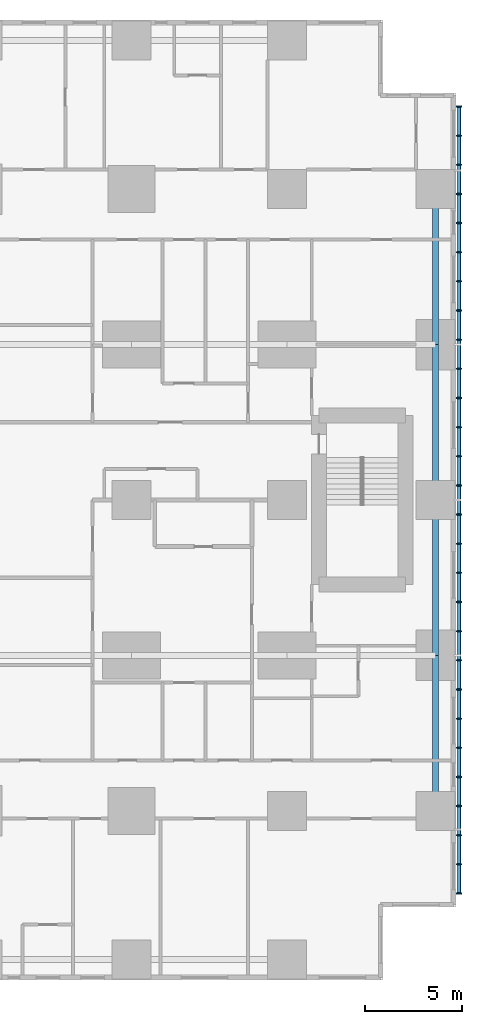
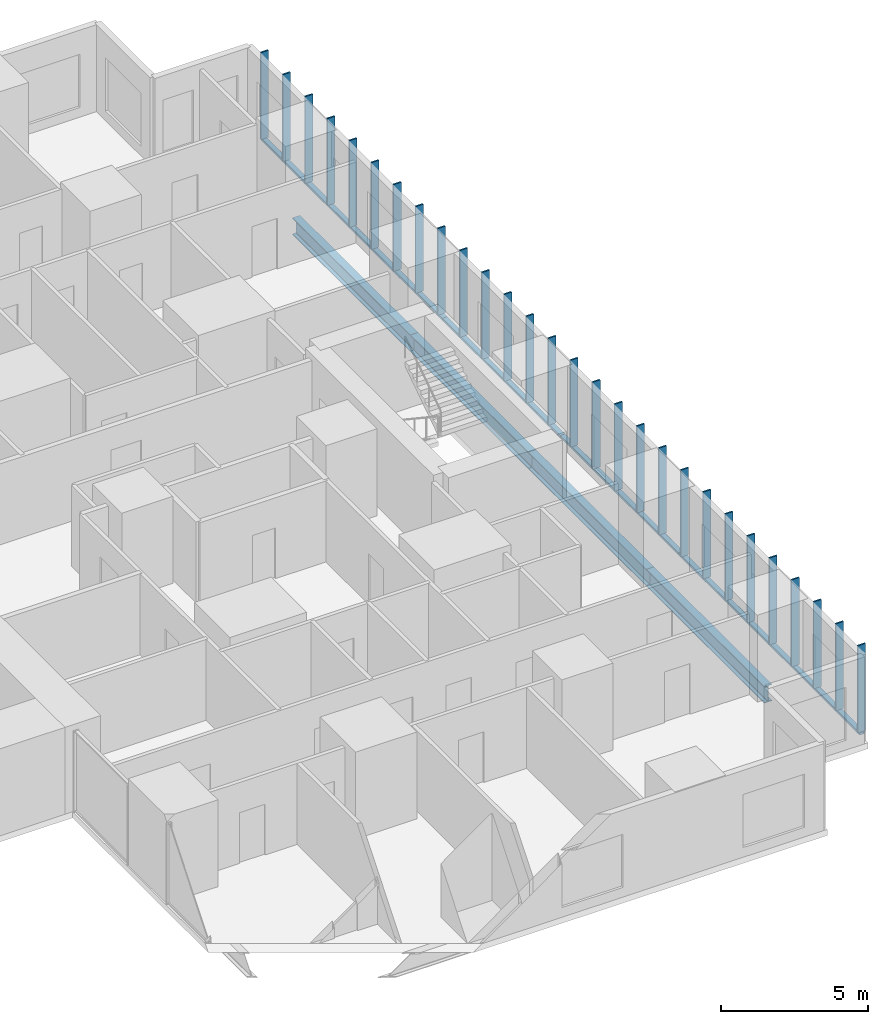
# One storey, part 6 of 20: 32 members, 4 beams.
"""IFC4 building model written with IfcOpenShell, lengths in metres."""

from ifc_helpers import new_model, si_unit, direction, frame, origin, origin_2d, place, context, subcontext, project, spatial, rectangle, hollow_rectangle, i_section, extrude, material, material_profile, profile_set, type_object, element, save


model = new_model("IFC4")

# Units and contexts
model_context = context("Model", 3, precision=1e-05, world=origin(), true_north=direction((0.0, 1.0)))
body_context = subcontext(model_context, "Body", "Model", "MODEL_VIEW")
ifc_project = project(units=[si_unit("LENGTHUNIT", "METRE"), si_unit("AREAUNIT", "SQUARE_METRE"), si_unit("VOLUMEUNIT", "CUBIC_METRE"), si_unit("PLANEANGLEUNIT", "RADIAN"), si_unit("MASSUNIT", "GRAM", prefix="KILO")], contexts=[model_context])

# Site, building, storey
site_placement = place(None, origin())
site = spatial("IfcSite", under=ifc_project, at=site_placement, CompositionType="ELEMENT")
building_placement = place(site_placement, origin())
building = spatial("IfcBuilding", under=site, at=building_placement, Name="Cleftline Residences", CompositionType="ELEMENT")
storey_placement = place(building_placement, frame((0.0, 0.0, 107.0)))
storey = spatial("IfcBuildingStorey", under=building, at=storey_placement, Name="L27", CompositionType="ELEMENT", Elevation=107.0)

# Members
ifc_material_1 = material(Name="Steel S355, hot-dip galvanised", Category="steel")
ifc_material_profile_1 = material_profile(ifc_material_1, hollow_rectangle(XDim=0.10009765625, YDim=0.199951171875, WallThickness=0.008056640625, InnerFilletRadius=0.008056640625, OuterFilletRadius=0.011962890625, at=origin_2d()))
ifc_profile_set_1 = profile_set([ifc_material_profile_1], Name="Steel S355, hot-dip galvanised")
member_type_1 = type_object("IfcMemberType", Name="BAGUETTE CARRIER RHS 200X100X8", PredefinedType="USERDEFINED", material=ifc_profile_set_1)
member_1_placement = place(storey_placement, frame((66.85009765625, 3.699951171875, -0.050048828125), z_axis=(0.0, 1.0, 0.0), x_axis=(0.0, 0.0, 1.0)))
element("IfcMember", 1, at=member_1_placement, inside=storey, type_object=member_type_1, Name="Baguette carrier", ObjectType="BAGUETTE CARRIER", PredefinedType="USERDEFINED", context=body_context, shape_type="SweptSolid", body=[
    extrude(hollow_rectangle(XDim=0.10009765625, YDim=0.199951171875, WallThickness=0.008056640625, InnerFilletRadius=0.008056640625, OuterFilletRadius=0.011962890625, at=origin_2d()), origin(), (0.0, 0.0, 1.0), 12.300048828125),
])
for number, where, z_axis, x_axis, name in (
    (2, (66.85009765625, 16.0, -0.050048828125), (0.0, 1.0, 0.0), (0.0, 0.0, 1.0), "Baguette carrier"),
    (3, (66.85009765625, 24.0, -0.050048828125), (0.0, 1.0, 0.0), (0.0, 0.0, 1.0), "Baguette carrier"),
):
    element("IfcMember", number, at=place(storey_placement, frame(where, z_axis=z_axis, x_axis=x_axis)), inside=storey, type_object=member_type_1, Name=name, ObjectType="BAGUETTE CARRIER", PredefinedType="USERDEFINED", context=body_context, shape_type="SweptSolid", body=[
        extrude(hollow_rectangle(XDim=0.10009765625, YDim=0.199951171875, WallThickness=0.008056640625, InnerFilletRadius=0.008056640625, OuterFilletRadius=0.011962890625, at=origin_2d()), origin(), (0.0, 0.0, 1.0), 8.0),
    ])
member_2_placement = place(storey_placement, frame((66.85009765625, 32.0, -0.050048828125), z_axis=(0.0, 1.0, 0.0), x_axis=(0.0, 0.0, 1.0)))
element("IfcMember", 4, at=member_2_placement, inside=storey, type_object=member_type_1, Name="Baguette carrier", ObjectType="BAGUETTE CARRIER", PredefinedType="USERDEFINED", context=body_context, shape_type="SweptSolid", body=[
    extrude(hollow_rectangle(XDim=0.10009765625, YDim=0.199951171875, WallThickness=0.008056640625, InnerFilletRadius=0.008056640625, OuterFilletRadius=0.011962890625, at=origin_2d()), origin(), (0.0, 0.0, 1.0), 12.300048828125),
])

# Beams
ifc_material_2 = material(Name="Steel S355", Category="steel")
ifc_material_profile_2 = material_profile(ifc_material_2, i_section(OverallWidth=0.300048828125, OverallDepth=0.699951171875, WebThickness=0.01708984375, FlangeThickness=0.031982421875, FilletRadius=0.027099609375, at=origin_2d()))
ifc_profile_set_2 = profile_set([ifc_material_profile_2], Name="Steel S355")
beam_type = type_object("IfcBeamType", Name="BEAM HEB 700", PredefinedType="BEAM", material=ifc_profile_set_2)
for number, where, z_axis, x_axis, name in (
    (5, (65.64990234375, 8.0, -0.60009765625), (0.0, 1.0, 0.0), (-1.0, 0.0, 0.0), "Edge beam"),
    (6, (65.64990234375, 16.0, -0.60009765625), (0.0, 1.0, 0.0), (-1.0, 0.0, 0.0), "Edge beam"),
    (7, (65.64990234375, 24.0, -0.60009765625), (0.0, 1.0, 0.0), (-1.0, 0.0, 0.0), "Edge beam"),
    (8, (65.64990234375, 32.0, -0.60009765625), (0.0, 1.0, 0.0), (-1.0, 0.0, 0.0), "Edge beam"),
):
    element("IfcBeam", number, at=place(storey_placement, frame(where, z_axis=z_axis, x_axis=x_axis)), inside=storey, type_object=beam_type, Name=name, PredefinedType="BEAM", context=body_context, shape_type="SweptSolid", body=[
        extrude(i_section(OverallWidth=0.300048828125, OverallDepth=0.699951171875, WebThickness=0.01708984375, FlangeThickness=0.031982421875, FilletRadius=0.027099609375, at=origin_2d()), origin(), (0.0, 0.0, 1.0), 8.0),
    ])

# Members
ifc_material_3 = material(Name="Extruded terracotta", Category="masonry")
ifc_material_profile_3 = material_profile(ifc_material_3, rectangle(XDim=0.06005859375, YDim=0.300048828125, at=origin_2d()))
ifc_profile_set_3 = profile_set([ifc_material_profile_3], Name="Extruded terracotta")
member_type_2 = type_object("IfcMemberType", Name="TERRACOTTA BAGUETTE 60X300", PredefinedType="USERDEFINED", material=ifc_profile_set_3)
for number, where, z_axis, x_axis, name in (
    (9, (66.85009765625, 3.75, 0.0), (0.0, 0.0, 1.0), (0.0, 1.0, 0.0), "Terracotta baguette"),
    (10, (66.85009765625, 5.25, 0.0), (0.0, 0.0, 1.0), (0.0, 1.0, 0.0), "Terracotta baguette"),
    (11, (66.85009765625, 6.75, 0.0), (0.0, 0.0, 1.0), (0.0, 1.0, 0.0), "Terracotta baguette"),
    (12, (66.85009765625, 8.25, 0.0), (0.0, 0.0, 1.0), (0.0, 1.0, 0.0), "Terracotta baguette"),
    (13, (66.85009765625, 9.75, 0.0), (0.0, 0.0, 1.0), (0.0, 1.0, 0.0), "Terracotta baguette"),
    (14, (66.85009765625, 11.25, 0.0), (0.0, 0.0, 1.0), (0.0, 1.0, 0.0), "Terracotta baguette"),
    (15, (66.85009765625, 12.75, 0.0), (0.0, 0.0, 1.0), (0.0, 1.0, 0.0), "Terracotta baguette"),
    (16, (66.85009765625, 14.25, 0.0), (0.0, 0.0, 1.0), (0.0, 1.0, 0.0), "Terracotta baguette"),
    (17, (66.85009765625, 15.75, 0.0), (0.0, 0.0, 1.0), (0.0, 1.0, 0.0), "Terracotta baguette"),
    (18, (66.85009765625, 17.25, 0.0), (0.0, 0.0, 1.0), (0.0, 1.0, 0.0), "Terracotta baguette"),
    (19, (66.85009765625, 18.75, 0.0), (0.0, 0.0, 1.0), (0.0, 1.0, 0.0), "Terracotta baguette"),
    (20, (66.85009765625, 20.25, 0.0), (0.0, 0.0, 1.0), (0.0, 1.0, 0.0), "Terracotta baguette"),
    (21, (66.85009765625, 21.75, 0.0), (0.0, 0.0, 1.0), (0.0, 1.0, 0.0), "Terracotta baguette"),
    (22, (66.85009765625, 23.25, 0.0), (0.0, 0.0, 1.0), (0.0, 1.0, 0.0), "Terracotta baguette"),
    (23, (66.85009765625, 24.75, 0.0), (0.0, 0.0, 1.0), (0.0, 1.0, 0.0), "Terracotta baguette"),
    (24, (66.85009765625, 26.25, 0.0), (0.0, 0.0, 1.0), (0.0, 1.0, 0.0), "Terracotta baguette"),
    (25, (66.85009765625, 27.75, 0.0), (0.0, 0.0, 1.0), (0.0, 1.0, 0.0), "Terracotta baguette"),
    (26, (66.85009765625, 29.25, 0.0), (0.0, 0.0, 1.0), (0.0, 1.0, 0.0), "Terracotta baguette"),
    (27, (66.85009765625, 30.75, 0.0), (0.0, 0.0, 1.0), (0.0, 1.0, 0.0), "Terracotta baguette"),
    (28, (66.85009765625, 32.25, 0.0), (0.0, 0.0, 1.0), (0.0, 1.0, 0.0), "Terracotta baguette"),
    (29, (66.85009765625, 33.75, 0.0), (0.0, 0.0, 1.0), (0.0, 1.0, 0.0), "Terracotta baguette"),
    (30, (66.85009765625, 35.25, 0.0), (0.0, 0.0, 1.0), (0.0, 1.0, 0.0), "Terracotta baguette"),
    (31, (66.85009765625, 36.75, 0.0), (0.0, 0.0, 1.0), (0.0, 1.0, 0.0), "Terracotta baguette"),
    (32, (66.85009765625, 38.25, 0.0), (0.0, 0.0, 1.0), (0.0, 1.0, 0.0), "Terracotta baguette"),
    (33, (66.85009765625, 39.75, 0.0), (0.0, 0.0, 1.0), (0.0, 1.0, 0.0), "Terracotta baguette"),
    (34, (66.85009765625, 41.25, 0.0), (0.0, 0.0, 1.0), (0.0, 1.0, 0.0), "Terracotta baguette"),
    (35, (66.85009765625, 42.75, 0.0), (0.0, 0.0, 1.0), (0.0, 1.0, 0.0), "Terracotta baguette"),
    (36, (66.85009765625, 44.25, 0.0), (0.0, 0.0, 1.0), (0.0, 1.0, 0.0), "Terracotta baguette"),
):
    element("IfcMember", number, at=place(storey_placement, frame(where, z_axis=z_axis, x_axis=x_axis)), inside=storey, type_object=member_type_2, Name=name, ObjectType="BAGUETTE", PredefinedType="USERDEFINED", context=body_context, shape_type="SweptSolid", body=[
        extrude(rectangle(XDim=0.06005859375, YDim=0.300048828125, at=origin_2d()), origin(), (0.0, 0.0, 1.0), 3.60009765625),
    ])

save(model, "model.ifc")
